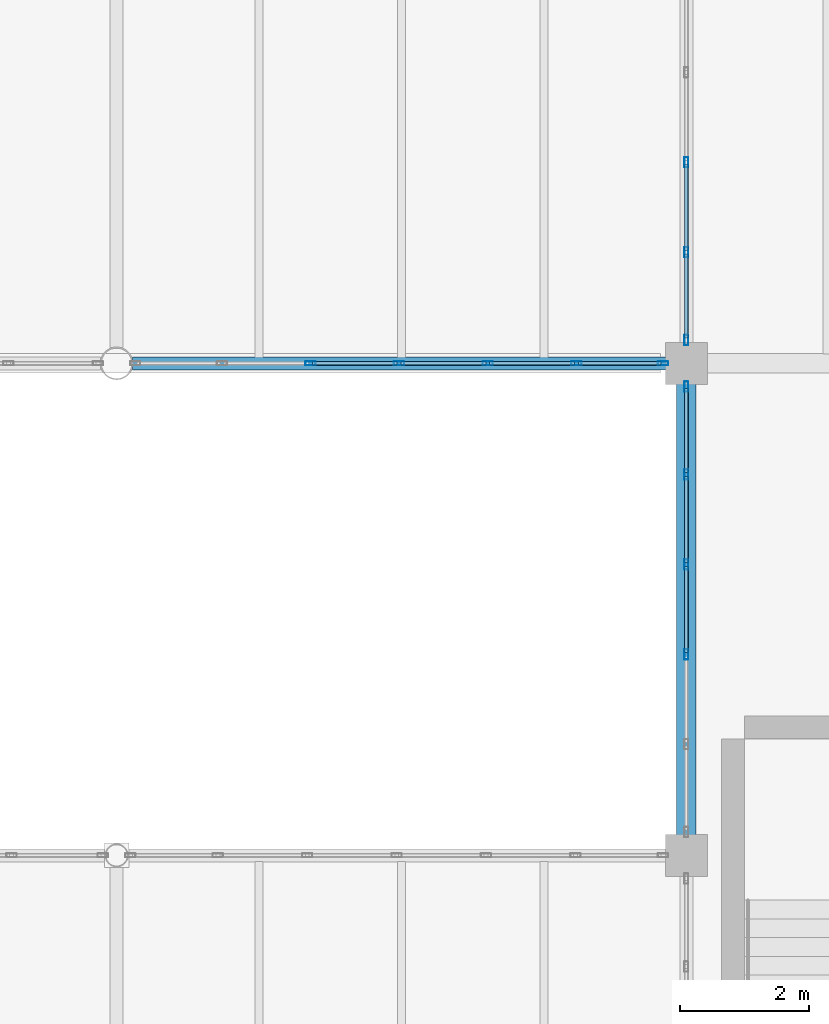
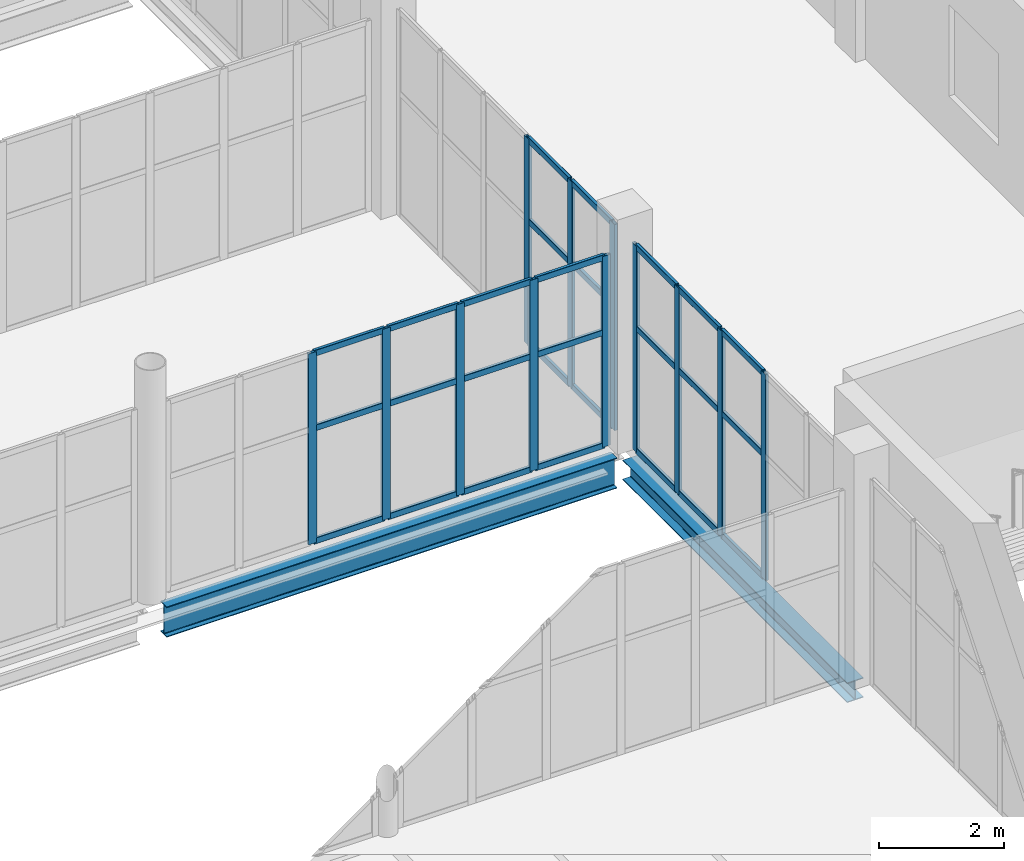
# One storey, part 115 of 172: 39 members, 2 beams, 3 elements without a shape of their own.
"""IFC4 building model written with IfcOpenShell, lengths in metres."""

from ifc_helpers import new_model, si_unit, direction, frame, origin, origin_2d, place, context, subcontext, project, spatial, hollow_rectangle, i_section, extrude, material, material_profile, profile_set, type_object, element, aggregate, save


model = new_model("IFC4")

# Units and contexts
model_context = context("Model", 3, precision=1e-05, world=origin(), true_north=direction((0.0, 1.0)))
body_context = subcontext(model_context, "Body", "Model", "MODEL_VIEW")
ifc_project = project(units=[si_unit("LENGTHUNIT", "METRE"), si_unit("AREAUNIT", "SQUARE_METRE"), si_unit("VOLUMEUNIT", "CUBIC_METRE"), si_unit("PLANEANGLEUNIT", "RADIAN"), si_unit("MASSUNIT", "GRAM", prefix="KILO")], contexts=[model_context])

# Site, building, storey
site_placement = place(None, origin())
site = spatial("IfcSite", under=ifc_project, at=site_placement, CompositionType="ELEMENT")
building_placement = place(site_placement, origin())
building = spatial("IfcBuilding", under=site, at=building_placement, Name="Shengluoqiao Park Theatre", CompositionType="ELEMENT")
storey_placement = place(building_placement, frame((0.0, 0.0, 5.39990234375)))
storey = spatial("IfcBuildingStorey", under=building, at=storey_placement, Name="L01", CompositionType="ELEMENT", Elevation=5.39990234375)

# Curtain wall, members
ifc_material_1 = material(Name="Aluminium 6063-T6", Category="aluminium")
curtain_wall_type_1 = type_object("IfcCurtainWallType", Name="ENV-CW-BRIDGE", PredefinedType="NOTDEFINED", material=ifc_material_1)
curtain_wall_1_placement = place(storey_placement, origin())
curtain_wall_1 = element("IfcCurtainWall", 1, at=curtain_wall_1_placement, inside=storey, type_object=curtain_wall_type_1, Name="L01 Curtain Wall CWX-L01-0098", PredefinedType="NOTDEFINED")
ifc_material_profile_1 = material_profile(ifc_material_1, hollow_rectangle(XDim=0.06005859375, YDim=0.159912109375, WallThickness=0.00390625, InnerFilletRadius=0.00390625, OuterFilletRadius=0.008056640625, at=origin_2d()), Name="ALU MULLION 160x60x4")
ifc_profile_set_1 = profile_set([ifc_material_profile_1], Name="Aluminium 6063-T6")
member_type_1 = type_object("IfcMemberType", Name="ENV-MUL-160", PredefinedType="MULLION", material=ifc_profile_set_1)
member_1_placement = place(storey_placement, frame((151.395751953125, 68.39990234375, 0.0), z_axis=(0.0, 0.0, 1.0), x_axis=(0.0, 1.0, 0.0)))
member_1 = element("IfcMember", 2, at=member_1_placement, type_object=member_type_1, Name="CW-03 mullion 3", PredefinedType="MULLION", context=body_context, shape_type="SweptSolid", body=[
    extrude(hollow_rectangle(XDim=0.06005859375, YDim=0.159912109375, WallThickness=0.00390625, InnerFilletRadius=0.00390625, OuterFilletRadius=0.008056640625, at=origin_2d()), origin(), (0.0, 0.0, 1.0), 3.7421875),
])
member_2_placement = place(storey_placement, frame((152.764404296875, 68.39990234375, 0.0), z_axis=(0.0, 0.0, 1.0), x_axis=(0.0, 1.0, 0.0)))
member_2 = element("IfcMember", 3, at=member_2_placement, type_object=member_type_1, Name="CW-03 mullion 4", PredefinedType="MULLION", context=body_context, shape_type="SweptSolid", body=[
    extrude(hollow_rectangle(XDim=0.06005859375, YDim=0.159912109375, WallThickness=0.00390625, InnerFilletRadius=0.00390625, OuterFilletRadius=0.008056640625, at=origin_2d()), origin(), (0.0, 0.0, 1.0), 3.7421875),
])
member_3_placement = place(storey_placement, frame((154.13330078125, 68.39990234375, 0.0), z_axis=(0.0, 0.0, 1.0), x_axis=(0.0, 1.0, 0.0)))
member_3 = element("IfcMember", 4, at=member_3_placement, type_object=member_type_1, Name="CW-03 mullion 5", PredefinedType="MULLION", context=body_context, shape_type="SweptSolid", body=[
    extrude(hollow_rectangle(XDim=0.06005859375, YDim=0.159912109375, WallThickness=0.00390625, InnerFilletRadius=0.00390625, OuterFilletRadius=0.008056640625, at=origin_2d()), origin(), (0.0, 0.0, 1.0), 3.7421875),
])
member_4_placement = place(storey_placement, frame((155.502197265625, 68.39990234375, 0.0), z_axis=(0.0, 0.0, 1.0), x_axis=(0.0, 1.0, 0.0)))
member_4 = element("IfcMember", 5, at=member_4_placement, type_object=member_type_1, Name="CW-03 mullion 6", PredefinedType="MULLION", context=body_context, shape_type="SweptSolid", body=[
    extrude(hollow_rectangle(XDim=0.06005859375, YDim=0.159912109375, WallThickness=0.00390625, InnerFilletRadius=0.00390625, OuterFilletRadius=0.008056640625, at=origin_2d()), origin(), (0.0, 0.0, 1.0), 3.7421875),
])
member_5_placement = place(storey_placement, frame((156.841064453125, 68.39990234375, 0.0), z_axis=(0.0, 0.0, 1.0), x_axis=(0.0, 1.0, 0.0)))
member_5 = element("IfcMember", 6, at=member_5_placement, type_object=member_type_1, Name="CW-03 mullion 7", PredefinedType="MULLION", context=body_context, shape_type="SweptSolid", body=[
    extrude(hollow_rectangle(XDim=0.06005859375, YDim=0.159912109375, WallThickness=0.00390625, InnerFilletRadius=0.00390625, OuterFilletRadius=0.008056640625, at=origin_2d()), origin(), (0.0, 0.0, 1.0), 3.7421875),
])

curtain_wall_type_2 = type_object("IfcCurtainWallType", Name="ENV-CW-COURT", PredefinedType="NOTDEFINED", material=ifc_material_1)
curtain_wall_2_placement = place(storey_placement, origin())
curtain_wall_2 = element("IfcCurtainWall", 7, at=curtain_wall_2_placement, inside=storey, type_object=curtain_wall_type_2, Name="L01 Curtain Wall CWX-L01-0186", PredefinedType="NOTDEFINED")
member_6_placement = place(storey_placement, frame((157.199951171875, 63.90576171875, 0.0), z_axis=(0.0, 0.0, 1.0), x_axis=(-1.0, 0.0, 0.0)))
member_6 = element("IfcMember", 8, at=member_6_placement, type_object=member_type_1, Name="CW-05 mullion 3", PredefinedType="MULLION", context=body_context, shape_type="SweptSolid", body=[
    extrude(hollow_rectangle(XDim=0.06005859375, YDim=0.159912109375, WallThickness=0.00390625, InnerFilletRadius=0.00390625, OuterFilletRadius=0.008056640625, at=origin_2d()), origin(), (0.0, 0.0, 1.0), 4.044189453125),
])
member_7_placement = place(storey_placement, frame((157.199951171875, 65.294189453125, 0.0), z_axis=(0.0, 0.0, 1.0), x_axis=(-1.0, 0.0, 0.0)))
member_7 = element("IfcMember", 9, at=member_7_placement, type_object=member_type_1, Name="CW-05 mullion 4", PredefinedType="MULLION", context=body_context, shape_type="SweptSolid", body=[
    extrude(hollow_rectangle(XDim=0.06005859375, YDim=0.159912109375, WallThickness=0.00390625, InnerFilletRadius=0.00390625, OuterFilletRadius=0.008056640625, at=origin_2d()), origin(), (0.0, 0.0, 1.0), 4.044189453125),
])
member_8_placement = place(storey_placement, frame((157.199951171875, 66.6826171875, 0.0), z_axis=(0.0, 0.0, 1.0), x_axis=(-1.0, 0.0, 0.0)))
member_8 = element("IfcMember", 10, at=member_8_placement, type_object=member_type_1, Name="CW-05 mullion 5", PredefinedType="MULLION", context=body_context, shape_type="SweptSolid", body=[
    extrude(hollow_rectangle(XDim=0.06005859375, YDim=0.159912109375, WallThickness=0.00390625, InnerFilletRadius=0.00390625, OuterFilletRadius=0.008056640625, at=origin_2d()), origin(), (0.0, 0.0, 1.0), 4.044189453125),
])
member_9_placement = place(storey_placement, frame((157.199951171875, 68.041015625, 0.0), z_axis=(0.0, 0.0, 1.0), x_axis=(-1.0, 0.0, 0.0)))
member_9 = element("IfcMember", 11, at=member_9_placement, type_object=member_type_1, Name="CW-05 mullion 6", PredefinedType="MULLION", context=body_context, shape_type="SweptSolid", body=[
    extrude(hollow_rectangle(XDim=0.06005859375, YDim=0.159912109375, WallThickness=0.00390625, InnerFilletRadius=0.00390625, OuterFilletRadius=0.008056640625, at=origin_2d()), origin(), (0.0, 0.0, 1.0), 4.044189453125),
])

curtain_wall_3_placement = place(storey_placement, origin())
curtain_wall_3 = element("IfcCurtainWall", 12, at=curtain_wall_3_placement, inside=storey, type_object=curtain_wall_type_2, Name="L01 Curtain Wall CWX-L01-0187", PredefinedType="NOTDEFINED")
member_10_placement = place(storey_placement, frame((157.199951171875, 68.759033203125, 0.0), z_axis=(0.0, 0.0, 1.0), x_axis=(-1.0, 0.0, 0.0)))
member_10 = element("IfcMember", 13, at=member_10_placement, type_object=member_type_1, Name="CW-05 mullion 1", PredefinedType="MULLION", context=body_context, shape_type="SweptSolid", body=[
    extrude(hollow_rectangle(XDim=0.06005859375, YDim=0.159912109375, WallThickness=0.00390625, InnerFilletRadius=0.00390625, OuterFilletRadius=0.008056640625, at=origin_2d()), origin(), (0.0, 0.0, 1.0), 4.044189453125),
])
member_11_placement = place(storey_placement, frame((157.199951171875, 70.117431640625, 0.0), z_axis=(0.0, 0.0, 1.0), x_axis=(-1.0, 0.0, 0.0)))
member_11 = element("IfcMember", 14, at=member_11_placement, type_object=member_type_1, Name="CW-05 mullion 2", PredefinedType="MULLION", context=body_context, shape_type="SweptSolid", body=[
    extrude(hollow_rectangle(XDim=0.06005859375, YDim=0.159912109375, WallThickness=0.00390625, InnerFilletRadius=0.00390625, OuterFilletRadius=0.008056640625, at=origin_2d()), origin(), (0.0, 0.0, 1.0), 4.044189453125),
])
member_12_placement = place(storey_placement, frame((157.199951171875, 71.505859375, 0.0), z_axis=(0.0, 0.0, 1.0), x_axis=(-1.0, 0.0, 0.0)))
member_12 = element("IfcMember", 15, at=member_12_placement, type_object=member_type_1, Name="CW-05 mullion 3", PredefinedType="MULLION", context=body_context, shape_type="SweptSolid", body=[
    extrude(hollow_rectangle(XDim=0.06005859375, YDim=0.159912109375, WallThickness=0.00390625, InnerFilletRadius=0.00390625, OuterFilletRadius=0.008056640625, at=origin_2d()), origin(), (0.0, 0.0, 1.0), 4.044189453125),
])

# Member
ifc_material_profile_2 = material_profile(ifc_material_1, hollow_rectangle(XDim=0.06005859375, YDim=0.1201171875, WallThickness=0.00390625, InnerFilletRadius=0.00390625, OuterFilletRadius=0.008056640625, at=origin_2d()), Name="ALU TRANSOM 120x60x4")
ifc_profile_set_2 = profile_set([ifc_material_profile_2], Name="Aluminium 6063-T6")
member_type_2 = type_object("IfcMemberType", Name="ENV-TRN-120", PredefinedType="USERDEFINED", material=ifc_profile_set_2)
member_13_placement = place(storey_placement, frame((151.42578125, 68.39990234375, 0.030029296875), z_axis=(1.0, 0.0, 0.0), x_axis=(0.0, 1.0, 0.0)))
member_13 = element("IfcMember", 16, at=member_13_placement, type_object=member_type_2, Name="CW-03 transom 3.1", ObjectType="TRANSOM", PredefinedType="USERDEFINED", context=body_context, shape_type="SweptSolid", body=[
    extrude(hollow_rectangle(XDim=0.06005859375, YDim=0.1201171875, WallThickness=0.00390625, InnerFilletRadius=0.00390625, OuterFilletRadius=0.008056640625, at=origin_2d()), origin(), (0.0, 0.0, 1.0), 1.308837890625),
])

member_14_placement = place(storey_placement, frame((151.42578125, 68.39990234375, 2.2451171875), z_axis=(1.0, 0.0, 0.0), x_axis=(0.0, 1.0, 0.0)))
member_14 = element("IfcMember", 17, at=member_14_placement, type_object=member_type_2, Name="CW-03 transom 3.2", ObjectType="TRANSOM", PredefinedType="USERDEFINED", context=body_context, shape_type="SweptSolid", body=[
    extrude(hollow_rectangle(XDim=0.06005859375, YDim=0.1201171875, WallThickness=0.00390625, InnerFilletRadius=0.00390625, OuterFilletRadius=0.008056640625, at=origin_2d()), origin(), (0.0, 0.0, 1.0), 1.308837890625),
])

member_15_placement = place(storey_placement, frame((151.42578125, 68.39990234375, 3.712158203125), z_axis=(1.0, 0.0, 0.0), x_axis=(0.0, 1.0, 0.0)))
member_15 = element("IfcMember", 18, at=member_15_placement, type_object=member_type_2, Name="CW-03 transom 3.3", ObjectType="TRANSOM", PredefinedType="USERDEFINED", context=body_context, shape_type="SweptSolid", body=[
    extrude(hollow_rectangle(XDim=0.06005859375, YDim=0.1201171875, WallThickness=0.00390625, InnerFilletRadius=0.00390625, OuterFilletRadius=0.008056640625, at=origin_2d()), origin(), (0.0, 0.0, 1.0), 1.308837890625),
])

member_16_placement = place(storey_placement, frame((152.79443359375, 68.39990234375, 0.030029296875), z_axis=(1.0, 0.0, 0.0), x_axis=(0.0, 1.0, 0.0)))
member_16 = element("IfcMember", 19, at=member_16_placement, type_object=member_type_2, Name="CW-03 transom 4.1", ObjectType="TRANSOM", PredefinedType="USERDEFINED", context=body_context, shape_type="SweptSolid", body=[
    extrude(hollow_rectangle(XDim=0.06005859375, YDim=0.1201171875, WallThickness=0.00390625, InnerFilletRadius=0.00390625, OuterFilletRadius=0.008056640625, at=origin_2d()), origin(), (0.0, 0.0, 1.0), 1.308837890625),
])

member_17_placement = place(storey_placement, frame((152.79443359375, 68.39990234375, 2.2451171875), z_axis=(1.0, 0.0, 0.0), x_axis=(0.0, 1.0, 0.0)))
member_17 = element("IfcMember", 20, at=member_17_placement, type_object=member_type_2, Name="CW-03 transom 4.2", ObjectType="TRANSOM", PredefinedType="USERDEFINED", context=body_context, shape_type="SweptSolid", body=[
    extrude(hollow_rectangle(XDim=0.06005859375, YDim=0.1201171875, WallThickness=0.00390625, InnerFilletRadius=0.00390625, OuterFilletRadius=0.008056640625, at=origin_2d()), origin(), (0.0, 0.0, 1.0), 1.308837890625),
])

member_18_placement = place(storey_placement, frame((152.79443359375, 68.39990234375, 3.712158203125), z_axis=(1.0, 0.0, 0.0), x_axis=(0.0, 1.0, 0.0)))
member_18 = element("IfcMember", 21, at=member_18_placement, type_object=member_type_2, Name="CW-03 transom 4.3", ObjectType="TRANSOM", PredefinedType="USERDEFINED", context=body_context, shape_type="SweptSolid", body=[
    extrude(hollow_rectangle(XDim=0.06005859375, YDim=0.1201171875, WallThickness=0.00390625, InnerFilletRadius=0.00390625, OuterFilletRadius=0.008056640625, at=origin_2d()), origin(), (0.0, 0.0, 1.0), 1.308837890625),
])

member_19_placement = place(storey_placement, frame((154.163330078125, 68.39990234375, 0.030029296875), z_axis=(1.0, 0.0, 0.0), x_axis=(0.0, 1.0, 0.0)))
member_19 = element("IfcMember", 22, at=member_19_placement, type_object=member_type_2, Name="CW-03 transom 5.1", ObjectType="TRANSOM", PredefinedType="USERDEFINED", context=body_context, shape_type="SweptSolid", body=[
    extrude(hollow_rectangle(XDim=0.06005859375, YDim=0.1201171875, WallThickness=0.00390625, InnerFilletRadius=0.00390625, OuterFilletRadius=0.008056640625, at=origin_2d()), origin(), (0.0, 0.0, 1.0), 1.308837890625),
])

member_20_placement = place(storey_placement, frame((154.163330078125, 68.39990234375, 2.2451171875), z_axis=(1.0, 0.0, 0.0), x_axis=(0.0, 1.0, 0.0)))
member_20 = element("IfcMember", 23, at=member_20_placement, type_object=member_type_2, Name="CW-03 transom 5.2", ObjectType="TRANSOM", PredefinedType="USERDEFINED", context=body_context, shape_type="SweptSolid", body=[
    extrude(hollow_rectangle(XDim=0.06005859375, YDim=0.1201171875, WallThickness=0.00390625, InnerFilletRadius=0.00390625, OuterFilletRadius=0.008056640625, at=origin_2d()), origin(), (0.0, 0.0, 1.0), 1.308837890625),
])

member_21_placement = place(storey_placement, frame((154.163330078125, 68.39990234375, 3.712158203125), z_axis=(1.0, 0.0, 0.0), x_axis=(0.0, 1.0, 0.0)))
member_21 = element("IfcMember", 24, at=member_21_placement, type_object=member_type_2, Name="CW-03 transom 5.3", ObjectType="TRANSOM", PredefinedType="USERDEFINED", context=body_context, shape_type="SweptSolid", body=[
    extrude(hollow_rectangle(XDim=0.06005859375, YDim=0.1201171875, WallThickness=0.00390625, InnerFilletRadius=0.00390625, OuterFilletRadius=0.008056640625, at=origin_2d()), origin(), (0.0, 0.0, 1.0), 1.308837890625),
])

member_22_placement = place(storey_placement, frame((155.5322265625, 68.39990234375, 0.030029296875), z_axis=(1.0, 0.0, 0.0), x_axis=(0.0, 1.0, 0.0)))
member_22 = element("IfcMember", 25, at=member_22_placement, type_object=member_type_2, Name="CW-03 transom 6.1", ObjectType="TRANSOM", PredefinedType="USERDEFINED", context=body_context, shape_type="SweptSolid", body=[
    extrude(hollow_rectangle(XDim=0.06005859375, YDim=0.1201171875, WallThickness=0.00390625, InnerFilletRadius=0.00390625, OuterFilletRadius=0.008056640625, at=origin_2d()), origin(), (0.0, 0.0, 1.0), 1.27880859375),
])

member_23_placement = place(storey_placement, frame((155.5322265625, 68.39990234375, 2.2451171875), z_axis=(1.0, 0.0, 0.0), x_axis=(0.0, 1.0, 0.0)))
member_23 = element("IfcMember", 26, at=member_23_placement, type_object=member_type_2, Name="CW-03 transom 6.2", ObjectType="TRANSOM", PredefinedType="USERDEFINED", context=body_context, shape_type="SweptSolid", body=[
    extrude(hollow_rectangle(XDim=0.06005859375, YDim=0.1201171875, WallThickness=0.00390625, InnerFilletRadius=0.00390625, OuterFilletRadius=0.008056640625, at=origin_2d()), origin(), (0.0, 0.0, 1.0), 1.27880859375),
])

member_24_placement = place(storey_placement, frame((155.5322265625, 68.39990234375, 3.712158203125), z_axis=(1.0, 0.0, 0.0), x_axis=(0.0, 1.0, 0.0)))
member_24 = element("IfcMember", 27, at=member_24_placement, type_object=member_type_2, Name="CW-03 transom 6.3", ObjectType="TRANSOM", PredefinedType="USERDEFINED", context=body_context, shape_type="SweptSolid", body=[
    extrude(hollow_rectangle(XDim=0.06005859375, YDim=0.1201171875, WallThickness=0.00390625, InnerFilletRadius=0.00390625, OuterFilletRadius=0.008056640625, at=origin_2d()), origin(), (0.0, 0.0, 1.0), 1.27880859375),
])

aggregate(curtain_wall_1, [member_1, member_2, member_3, member_4, member_5, member_13, member_14, member_15, member_16, member_17, member_18, member_19, member_20, member_21, member_22, member_23, member_24])

member_25_placement = place(storey_placement, frame((157.199951171875, 63.935791015625, 0.030029296875), z_axis=(0.0, 1.0, 0.0), x_axis=(-1.0, 0.0, 0.0)))
member_25 = element("IfcMember", 28, at=member_25_placement, type_object=member_type_2, Name="CW-05 transom 3.1", ObjectType="TRANSOM", PredefinedType="USERDEFINED", context=body_context, shape_type="SweptSolid", body=[
    extrude(hollow_rectangle(XDim=0.06005859375, YDim=0.1201171875, WallThickness=0.00390625, InnerFilletRadius=0.00390625, OuterFilletRadius=0.008056640625, at=origin_2d()), origin(), (0.0, 0.0, 1.0), 1.328369140625),
])

member_26_placement = place(storey_placement, frame((157.199951171875, 63.935791015625, 2.426025390625), z_axis=(0.0, 1.0, 0.0), x_axis=(-1.0, 0.0, 0.0)))
member_26 = element("IfcMember", 29, at=member_26_placement, type_object=member_type_2, Name="CW-05 transom 3.2", ObjectType="TRANSOM", PredefinedType="USERDEFINED", context=body_context, shape_type="SweptSolid", body=[
    extrude(hollow_rectangle(XDim=0.06005859375, YDim=0.1201171875, WallThickness=0.00390625, InnerFilletRadius=0.00390625, OuterFilletRadius=0.008056640625, at=origin_2d()), origin(), (0.0, 0.0, 1.0), 1.328369140625),
])

member_27_placement = place(storey_placement, frame((157.199951171875, 63.935791015625, 4.01416015625), z_axis=(0.0, 1.0, 0.0), x_axis=(-1.0, 0.0, 0.0)))
member_27 = element("IfcMember", 30, at=member_27_placement, type_object=member_type_2, Name="CW-05 transom 3.3", ObjectType="TRANSOM", PredefinedType="USERDEFINED", context=body_context, shape_type="SweptSolid", body=[
    extrude(hollow_rectangle(XDim=0.06005859375, YDim=0.1201171875, WallThickness=0.00390625, InnerFilletRadius=0.00390625, OuterFilletRadius=0.008056640625, at=origin_2d()), origin(), (0.0, 0.0, 1.0), 1.328369140625),
])

member_28_placement = place(storey_placement, frame((157.199951171875, 65.32421875, 0.030029296875), z_axis=(0.0, 1.0, 0.0), x_axis=(-1.0, 0.0, 0.0)))
member_28 = element("IfcMember", 31, at=member_28_placement, type_object=member_type_2, Name="CW-05 transom 4.1", ObjectType="TRANSOM", PredefinedType="USERDEFINED", context=body_context, shape_type="SweptSolid", body=[
    extrude(hollow_rectangle(XDim=0.06005859375, YDim=0.1201171875, WallThickness=0.00390625, InnerFilletRadius=0.00390625, OuterFilletRadius=0.008056640625, at=origin_2d()), origin(), (0.0, 0.0, 1.0), 1.328369140625),
])

member_29_placement = place(storey_placement, frame((157.199951171875, 65.32421875, 2.426025390625), z_axis=(0.0, 1.0, 0.0), x_axis=(-1.0, 0.0, 0.0)))
member_29 = element("IfcMember", 32, at=member_29_placement, type_object=member_type_2, Name="CW-05 transom 4.2", ObjectType="TRANSOM", PredefinedType="USERDEFINED", context=body_context, shape_type="SweptSolid", body=[
    extrude(hollow_rectangle(XDim=0.06005859375, YDim=0.1201171875, WallThickness=0.00390625, InnerFilletRadius=0.00390625, OuterFilletRadius=0.008056640625, at=origin_2d()), origin(), (0.0, 0.0, 1.0), 1.328369140625),
])

member_30_placement = place(storey_placement, frame((157.199951171875, 65.32421875, 4.01416015625), z_axis=(0.0, 1.0, 0.0), x_axis=(-1.0, 0.0, 0.0)))
member_30 = element("IfcMember", 33, at=member_30_placement, type_object=member_type_2, Name="CW-05 transom 4.3", ObjectType="TRANSOM", PredefinedType="USERDEFINED", context=body_context, shape_type="SweptSolid", body=[
    extrude(hollow_rectangle(XDim=0.06005859375, YDim=0.1201171875, WallThickness=0.00390625, InnerFilletRadius=0.00390625, OuterFilletRadius=0.008056640625, at=origin_2d()), origin(), (0.0, 0.0, 1.0), 1.328369140625),
])

member_31_placement = place(storey_placement, frame((157.199951171875, 66.712646484375, 0.030029296875), z_axis=(0.0, 1.0, 0.0), x_axis=(-1.0, 0.0, 0.0)))
member_31 = element("IfcMember", 34, at=member_31_placement, type_object=member_type_2, Name="CW-05 transom 5.1", ObjectType="TRANSOM", PredefinedType="USERDEFINED", context=body_context, shape_type="SweptSolid", body=[
    extrude(hollow_rectangle(XDim=0.06005859375, YDim=0.1201171875, WallThickness=0.00390625, InnerFilletRadius=0.00390625, OuterFilletRadius=0.008056640625, at=origin_2d()), origin(), (0.0, 0.0, 1.0), 1.29833984375),
])

member_32_placement = place(storey_placement, frame((157.199951171875, 66.712646484375, 2.426025390625), z_axis=(0.0, 1.0, 0.0), x_axis=(-1.0, 0.0, 0.0)))
member_32 = element("IfcMember", 35, at=member_32_placement, type_object=member_type_2, Name="CW-05 transom 5.2", ObjectType="TRANSOM", PredefinedType="USERDEFINED", context=body_context, shape_type="SweptSolid", body=[
    extrude(hollow_rectangle(XDim=0.06005859375, YDim=0.1201171875, WallThickness=0.00390625, InnerFilletRadius=0.00390625, OuterFilletRadius=0.008056640625, at=origin_2d()), origin(), (0.0, 0.0, 1.0), 1.29833984375),
])

member_33_placement = place(storey_placement, frame((157.199951171875, 66.712646484375, 4.01416015625), z_axis=(0.0, 1.0, 0.0), x_axis=(-1.0, 0.0, 0.0)))
member_33 = element("IfcMember", 36, at=member_33_placement, type_object=member_type_2, Name="CW-05 transom 5.3", ObjectType="TRANSOM", PredefinedType="USERDEFINED", context=body_context, shape_type="SweptSolid", body=[
    extrude(hollow_rectangle(XDim=0.06005859375, YDim=0.1201171875, WallThickness=0.00390625, InnerFilletRadius=0.00390625, OuterFilletRadius=0.008056640625, at=origin_2d()), origin(), (0.0, 0.0, 1.0), 1.29833984375),
])

aggregate(curtain_wall_2, [member_6, member_7, member_8, member_9, member_25, member_26, member_27, member_28, member_29, member_30, member_31, member_32, member_33])

member_34_placement = place(storey_placement, frame((157.199951171875, 68.7890625, 0.030029296875), z_axis=(0.0, 1.0, 0.0), x_axis=(-1.0, 0.0, 0.0)))
member_34 = element("IfcMember", 37, at=member_34_placement, type_object=member_type_2, Name="CW-05 transom 1.1", ObjectType="TRANSOM", PredefinedType="USERDEFINED", context=body_context, shape_type="SweptSolid", body=[
    extrude(hollow_rectangle(XDim=0.06005859375, YDim=0.1201171875, WallThickness=0.00390625, InnerFilletRadius=0.00390625, OuterFilletRadius=0.008056640625, at=origin_2d()), origin(), (0.0, 0.0, 1.0), 1.29833984375),
])

member_35_placement = place(storey_placement, frame((157.199951171875, 68.7890625, 2.426025390625), z_axis=(0.0, 1.0, 0.0), x_axis=(-1.0, 0.0, 0.0)))
member_35 = element("IfcMember", 38, at=member_35_placement, type_object=member_type_2, Name="CW-05 transom 1.2", ObjectType="TRANSOM", PredefinedType="USERDEFINED", context=body_context, shape_type="SweptSolid", body=[
    extrude(hollow_rectangle(XDim=0.06005859375, YDim=0.1201171875, WallThickness=0.00390625, InnerFilletRadius=0.00390625, OuterFilletRadius=0.008056640625, at=origin_2d()), origin(), (0.0, 0.0, 1.0), 1.29833984375),
])

member_36_placement = place(storey_placement, frame((157.199951171875, 68.7890625, 4.01416015625), z_axis=(0.0, 1.0, 0.0), x_axis=(-1.0, 0.0, 0.0)))
member_36 = element("IfcMember", 39, at=member_36_placement, type_object=member_type_2, Name="CW-05 transom 1.3", ObjectType="TRANSOM", PredefinedType="USERDEFINED", context=body_context, shape_type="SweptSolid", body=[
    extrude(hollow_rectangle(XDim=0.06005859375, YDim=0.1201171875, WallThickness=0.00390625, InnerFilletRadius=0.00390625, OuterFilletRadius=0.008056640625, at=origin_2d()), origin(), (0.0, 0.0, 1.0), 1.29833984375),
])

member_37_placement = place(storey_placement, frame((157.199951171875, 70.1474609375, 0.030029296875), z_axis=(0.0, 1.0, 0.0), x_axis=(-1.0, 0.0, 0.0)))
member_37 = element("IfcMember", 40, at=member_37_placement, type_object=member_type_2, Name="CW-05 transom 2.1", ObjectType="TRANSOM", PredefinedType="USERDEFINED", context=body_context, shape_type="SweptSolid", body=[
    extrude(hollow_rectangle(XDim=0.06005859375, YDim=0.1201171875, WallThickness=0.00390625, InnerFilletRadius=0.00390625, OuterFilletRadius=0.008056640625, at=origin_2d()), origin(), (0.0, 0.0, 1.0), 1.328369140625),
])

member_38_placement = place(storey_placement, frame((157.199951171875, 70.1474609375, 2.426025390625), z_axis=(0.0, 1.0, 0.0), x_axis=(-1.0, 0.0, 0.0)))
member_38 = element("IfcMember", 41, at=member_38_placement, type_object=member_type_2, Name="CW-05 transom 2.2", ObjectType="TRANSOM", PredefinedType="USERDEFINED", context=body_context, shape_type="SweptSolid", body=[
    extrude(hollow_rectangle(XDim=0.06005859375, YDim=0.1201171875, WallThickness=0.00390625, InnerFilletRadius=0.00390625, OuterFilletRadius=0.008056640625, at=origin_2d()), origin(), (0.0, 0.0, 1.0), 1.328369140625),
])

member_39_placement = place(storey_placement, frame((157.199951171875, 70.1474609375, 4.01416015625), z_axis=(0.0, 1.0, 0.0), x_axis=(-1.0, 0.0, 0.0)))
member_39 = element("IfcMember", 42, at=member_39_placement, type_object=member_type_2, Name="CW-05 transom 2.3", ObjectType="TRANSOM", PredefinedType="USERDEFINED", context=body_context, shape_type="SweptSolid", body=[
    extrude(hollow_rectangle(XDim=0.06005859375, YDim=0.1201171875, WallThickness=0.00390625, InnerFilletRadius=0.00390625, OuterFilletRadius=0.008056640625, at=origin_2d()), origin(), (0.0, 0.0, 1.0), 1.328369140625),
])

aggregate(curtain_wall_3, [member_10, member_11, member_12, member_34, member_35, member_36, member_37, member_38, member_39])

# Beams
ifc_material_2 = material(Name="Steel Q355", Category="steel")
ifc_material_profile_3 = material_profile(ifc_material_2, i_section(OverallWidth=0.300048828125, OverallDepth=0.389892578125, WebThickness=0.010009765625, FlangeThickness=0.01611328125, FilletRadius=0.01806640625, at=origin_2d()), Name="HM 390x300x10x16")
ifc_profile_set_3 = profile_set([ifc_material_profile_3], Name="Steel Q355")
beam_type_1 = type_object("IfcBeamType", Name="STR-BM-G-HM390", PredefinedType="BEAM", material=ifc_profile_set_3)
beam_1_placement = place(storey_placement, frame((157.199951171875, 60.993896484375, -0.434814453125), z_axis=(0.0, 1.0, 0.0), x_axis=(-1.0, 0.0, 0.0)))
element("IfcBeam", 43, at=beam_1_placement, inside=storey, type_object=beam_type_1, Name="L01 Transverse Girder 00741", PredefinedType="BEAM", context=body_context, shape_type="SweptSolid", body=[
    extrude(i_section(OverallWidth=0.300048828125, OverallDepth=0.389892578125, WebThickness=0.010009765625, FlangeThickness=0.01611328125, FilletRadius=0.01806640625, at=origin_2d()), origin(), (0.0, 0.0, 1.0), 7.212158203125),
])
ifc_material_profile_4 = material_profile(ifc_material_2, i_section(OverallWidth=0.198974609375, OverallDepth=0.595947265625, WebThickness=0.010009765625, FlangeThickness=0.014892578125, FilletRadius=0.02001953125, at=origin_2d()), Name="HN 596x199x10x15")
ifc_profile_set_4 = profile_set([ifc_material_profile_4], Name="Steel Q355")
beam_type_2 = type_object("IfcBeamType", Name="STR-BM-SP-HN596", PredefinedType="SPANDREL", material=ifc_profile_set_4)
beam_2_placement = place(storey_placement, frame((148.64794921875, 68.39990234375, -0.537841796875), z_axis=(1.0, 0.0, 0.0), x_axis=(0.0, 1.0, 0.0)))
element("IfcBeam", 44, at=beam_2_placement, inside=storey, type_object=beam_type_2, Name="L01 Primary Girder 00523", PredefinedType="SPANDREL", context=body_context, shape_type="SweptSolid", body=[
    extrude(i_section(OverallWidth=0.198974609375, OverallDepth=0.595947265625, WebThickness=0.010009765625, FlangeThickness=0.014892578125, FilletRadius=0.02001953125, at=origin_2d()), origin(), (0.0, 0.0, 1.0), 8.35400390625),
])

save(model, "model.ifc")
